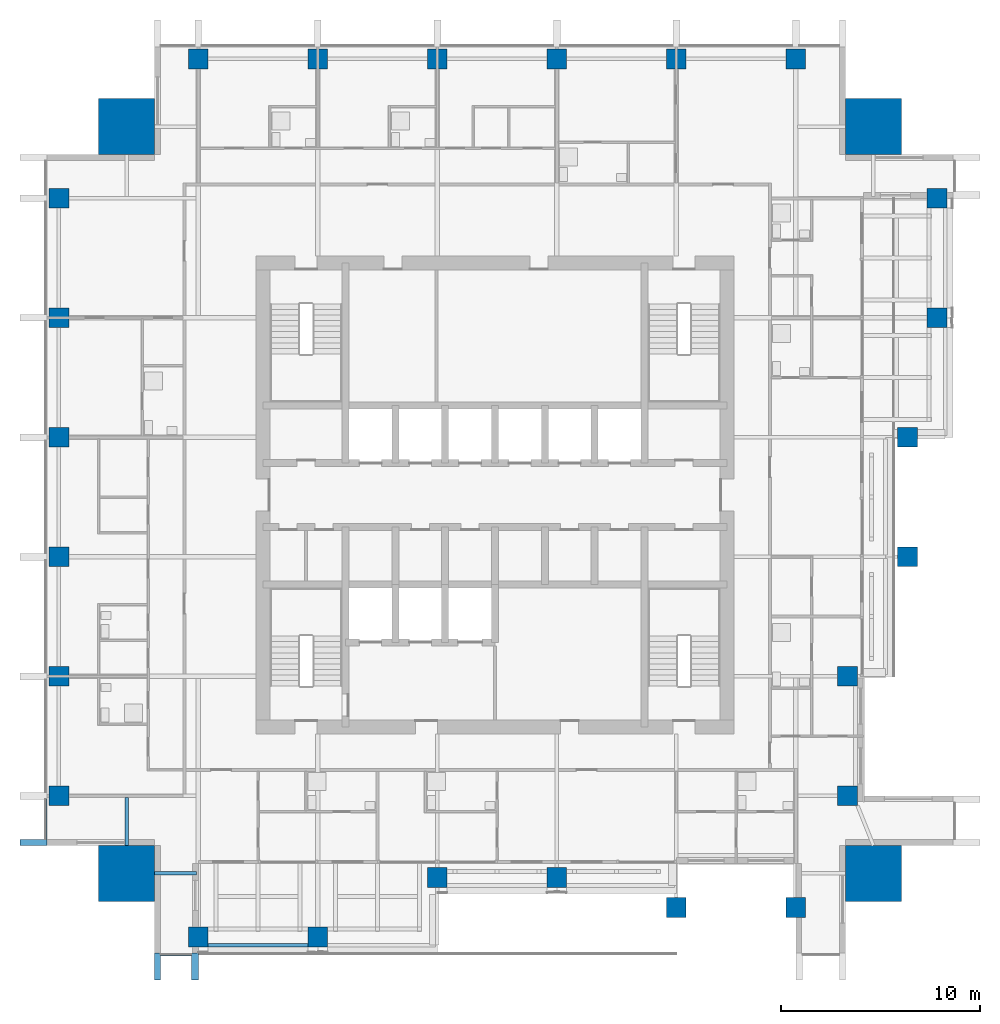
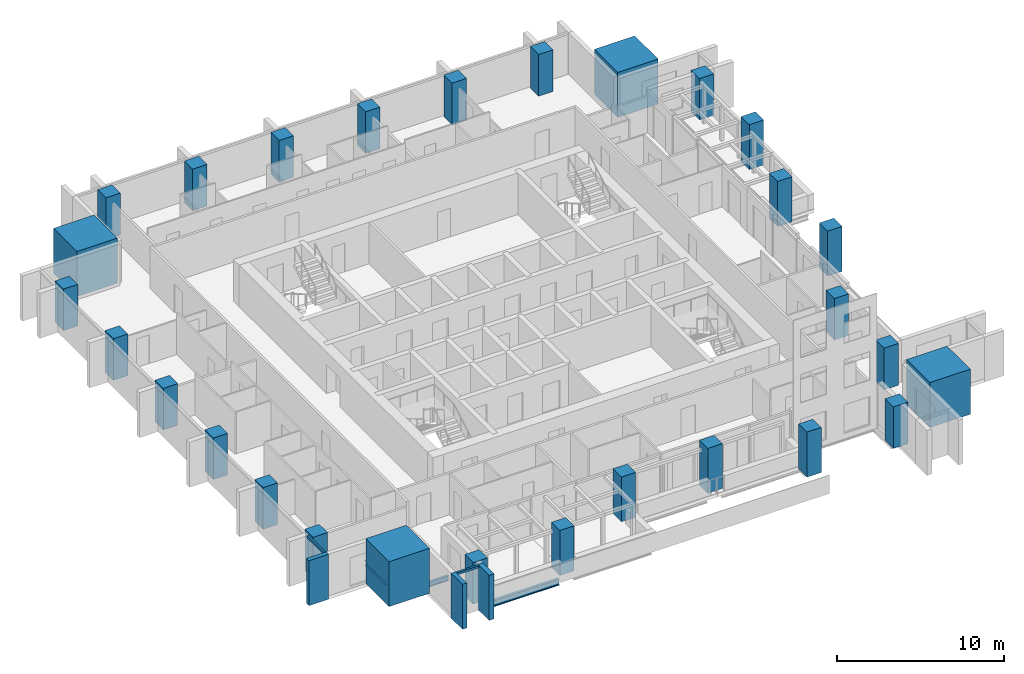
# One storey, part 1 of 16: 28 columns, 5 members, 3 beams, 2 elements without a shape of their own.
"""IFC4 building model written with IfcOpenShell, lengths in metres."""

import ifcopenshell
import ifcopenshell.guid

model = None  # the IFC model being written
_history = None  # IfcOwnerHistory: only IFC2X3 demands one
_inside = {}  # id of a spatial element -> (the spatial element, [elements in it])
_under = {}  # id of a project, library or spatial element -> (it, [spatial elements below it])
_declared = {}  # id of a project -> (the project, [libraries it declares])
_typed = {}  # id of a type object -> (the type object, [elements of that type])
_made_of = {}  # id of a material, layer set ... -> (it, [elements and type objects made of it])


def new_model(schema):
    """Start an empty IFC model of exactly this schema.

    Asked for "IFC4X3", IfcOpenShell would pick the latest addendum, in which some entities
    have other attributes; the version numbers below select the first issue.
    IFC2X3 requires an IfcOwnerHistory on every rooted entity: one is made here for all.
    """
    global model, _history
    if schema == "IFC4X3":
        model = ifcopenshell.file(schema_version=(4, 3, 0, 0))
    else:
        model = ifcopenshell.file(schema=schema)
    _inside.clear()
    _under.clear()
    _declared.clear()
    _typed.clear()
    _made_of.clear()
    _history = None
    if model.schema == "IFC2X3":
        org = make("IfcOrganization", Name="unknown")
        user = make(
            "IfcPersonAndOrganization",
            ThePerson=make("IfcPerson", FamilyName="unknown"),
            TheOrganization=org,
        )
        app = make(
            "IfcApplication",
            ApplicationDeveloper=org,
            Version="unknown",
            ApplicationFullName="unknown",
            ApplicationIdentifier="unknown",
        )
        _history = make(
            "IfcOwnerHistory",
            OwningUser=user,
            OwningApplication=app,
            ChangeAction="ADDED",
            CreationDate=0,
        )
    return model


def make(cls, **values):
    """One entity of the class cls with the attributes given. An attribute that is None is left unset."""
    return model.create_entity(
        cls, **{name: value for name, value in values.items() if value is not None}
    )


def rooted(cls, **values):
    """An entity with a GlobalId (a new one), such as an element, a storey or a relation."""
    return make(cls, GlobalId=ifcopenshell.guid.new(), OwnerHistory=_history, **values)


def si_unit(unit_type, name, prefix=None):
    """IfcSIUnit, for example si_unit("LENGTHUNIT", "METRE", prefix="MILLI")."""
    return make("IfcSIUnit", UnitType=unit_type, Prefix=prefix, Name=name)


def assignment(units):
    """IfcUnitAssignment: the units of a project."""
    return None if units is None else make("IfcUnitAssignment", Units=units)


def point(xyz):
    """IfcCartesianPoint."""
    return None if xyz is None else make("IfcCartesianPoint", Coordinates=xyz)


def direction(xyz):
    """IfcDirection."""
    return None if xyz is None else make("IfcDirection", DirectionRatios=xyz)


def frame(location, z_axis=None, x_axis=None):
    """IfcAxis2Placement3D, a coordinate frame: its origin and axes. An axis left out is left unset."""
    return make(
        "IfcAxis2Placement3D",
        Location=point(location),
        Axis=direction(z_axis),
        RefDirection=direction(x_axis),
    )


def frame_2d(location, x_axis=None):
    """IfcAxis2Placement2D, a coordinate frame in the plane: its origin and x axis."""
    return make(
        "IfcAxis2Placement2D", Location=point(location), RefDirection=direction(x_axis)
    )


def origin():
    """The frame at (0, 0, 0) with its axes left unset."""
    return frame((0.0, 0.0, 0.0))


def origin_2d():
    """The frame at (0, 0) in the plane with its x axis left unset."""
    return frame_2d((0.0, 0.0))


def place(relative_to, where):
    """IfcLocalPlacement: puts the frame where relative to a parent placement (None: the world)."""
    return make(
        "IfcLocalPlacement", PlacementRelTo=relative_to, RelativePlacement=where
    )


def context(
    kind, dimensions, precision=None, world=None, true_north=None, identifier=None
):
    """IfcGeometricRepresentationContext, for example the 3D "Model" context."""
    return make(
        "IfcGeometricRepresentationContext",
        ContextIdentifier=identifier,
        ContextType=kind,
        CoordinateSpaceDimension=dimensions,
        Precision=precision,
        WorldCoordinateSystem=world,
        TrueNorth=true_north,
    )


def subcontext(parent, identifier, kind, view, scale=None):
    """IfcGeometricRepresentationSubContext, for example "Body" below "Model"."""
    return make(
        "IfcGeometricRepresentationSubContext",
        ContextIdentifier=identifier,
        ContextType=kind,
        ParentContext=parent,
        TargetScale=scale,
        TargetView=view,
    )


def project(units=None, contexts=None):
    """IfcProject with its units and contexts."""
    return rooted(
        "IfcProject",
        Name="project",
        RepresentationContexts=contexts,
        UnitsInContext=assignment(units),
    )


def spatial(cls, under=None, at=None, **own):
    """A site, building, storey or space (cls), placed at a placement, below another one or the project."""
    s = rooted(cls, ObjectPlacement=at, **own)
    if under is not None:
        _under.setdefault(under.id(), (under, []))[1].append(s)
    return s


def profile(cls, at=None, kind="AREA", **sizes):
    """A parametric profile (cls). Its sizes go by their IFC names, for example OverallWidth=200.0."""
    return make(cls, ProfileType=kind, Position=at, **sizes)


def rectangle(**sizes):
    """IfcRectangleProfileDef."""
    return profile("IfcRectangleProfileDef", **sizes)


def i_section(**sizes):
    """IfcIShapeProfileDef."""
    return profile("IfcIShapeProfileDef", **sizes)


def extrude(swept, where, along, depth):
    """IfcExtrudedAreaSolid: the profile swept, set in the frame where, extruded along a direction by depth."""
    return make(
        "IfcExtrudedAreaSolid",
        SweptArea=swept,
        Position=where,
        ExtrudedDirection=direction(along),
        Depth=depth,
    )


def shape(context_of_items, identifier, shape_type, items):
    """IfcShapeRepresentation: the items that make up one representation, for example the "Body"."""
    return make(
        "IfcShapeRepresentation",
        ContextOfItems=context_of_items,
        RepresentationIdentifier=identifier,
        RepresentationType=shape_type,
        Items=items,
    )


def material(Name=None, Category=None):
    """IfcMaterial."""
    return make("IfcMaterial", Name=Name, Category=Category)


def material_profile(
    of_material, cross_section, Name=None, Category=None, Priority=None
):
    """IfcMaterialProfile: a cross section and its material."""
    return make(
        "IfcMaterialProfile",
        Name=Name,
        Material=of_material,
        Profile=cross_section,
        Priority=Priority,
        Category=Category,
    )


def profile_set(profiles, Name=None, composite=None):
    """IfcMaterialProfileSet."""
    return make(
        "IfcMaterialProfileSet",
        Name=Name,
        MaterialProfiles=profiles,
        CompositeProfile=composite,
    )


def made_of(thing, what):
    """Note that an element or type object is made of a material, layer set ...; save() writes the relation."""
    if what is not None:
        _made_of.setdefault(what.id(), (what, []))[1].append(thing)
    return thing


def type_object(cls, material=None, **own):
    """A type object (cls), such as IfcWallType, which elements share."""
    return made_of(rooted(cls, **own), material)


def element(
    cls,
    number,
    at=None,
    inside=None,
    cuts=None,
    type_object=None,
    material=None,
    context=None,
    identifier="Body",
    shape_type=None,
    held_by="IfcProductDefinitionShape",
    body=None,
    shapes=None,
    **own,
):
    """One element of the class cls, such as IfcWall. Its Tag is "e" and its number.

    at: its placement. inside: the storey or other place that contains it. cuts: it is an
    opening in that element (IfcRelVoidsElement). A single representation is given by context,
    identifier, shape_type and body (its items); several are given by shapes. held_by: the class
    of the entity that holds the representations. save() writes the other relations.
    """
    e = rooted(cls, Tag="e%d" % number, ObjectPlacement=at, **own)
    if body is not None:
        shapes = [shape(context, identifier, shape_type, body)]
    if shapes is not None:
        e.Representation = make(held_by, Representations=shapes)
    if inside is not None:
        _inside.setdefault(inside.id(), (inside, []))[1].append(e)
    if cuts is not None:
        rooted(
            "IfcRelVoidsElement", RelatingBuildingElement=cuts, RelatedOpeningElement=e
        )
    if type_object is not None:
        _typed.setdefault(type_object.id(), (type_object, []))[1].append(e)
    return made_of(e, material)


def aggregate(whole, parts):
    """IfcRelAggregates: a whole, such as a stair, and the parts it consists of."""
    return rooted("IfcRelAggregates", RelatingObject=whole, RelatedObjects=parts)


def save(model, path):
    """Write the relations noted so far, then the file.

    IfcRelAggregates (storeys below a building ...), IfcRelContainedInSpatialStructure (elements
    in a storey), IfcRelDefinesByType, IfcRelAssociatesMaterial and IfcRelDeclares: one each for
    every whole, place, type object, material and project.
    """
    for whole, parts in _under.values():
        aggregate(whole, parts)
    for where, things in _inside.values():
        rooted(
            "IfcRelContainedInSpatialStructure",
            RelatedElements=things,
            RelatingStructure=where,
        )
    for kind, things in _typed.values():
        rooted("IfcRelDefinesByType", RelatedObjects=things, RelatingType=kind)
    for what, things in _made_of.values():
        rooted("IfcRelAssociatesMaterial", RelatedObjects=things, RelatingMaterial=what)
    for by, libraries in _declared.values():
        rooted("IfcRelDeclares", RelatingContext=by, RelatedDefinitions=libraries)
    model.write(path)


model = new_model("IFC4")

# Units and contexts
model_context = context("Model", 3, precision=1e-05, world=origin(), true_north=direction((0.0, 1.0)))
body_context = subcontext(model_context, "Body", "Model", "MODEL_VIEW")
ifc_project = project(units=[si_unit("LENGTHUNIT", "METRE"), si_unit("AREAUNIT", "SQUARE_METRE"), si_unit("VOLUMEUNIT", "CUBIC_METRE"), si_unit("PLANEANGLEUNIT", "RADIAN"), si_unit("MASSUNIT", "GRAM", prefix="KILO")], contexts=[model_context])

# Site, building, storey
site_placement = place(None, origin())
site = spatial("IfcSite", under=ifc_project, at=site_placement, CompositionType="ELEMENT")
building_placement = place(site_placement, origin())
building = spatial("IfcBuilding", under=site, at=building_placement, Name="Amberfall Residences", CompositionType="ELEMENT")
storey_placement = place(building_placement, frame((0.0, 0.0, 164.800048828125)))
storey = spatial("IfcBuildingStorey", under=building, at=storey_placement, Name="L44", CompositionType="ELEMENT", Elevation=164.800048828125)

# Columns
ifc_material_1 = material(Name="Concrete C60", Category="concrete")
ifc_material_profile_1 = material_profile(ifc_material_1, rectangle(XDim=1.0, YDim=1.0, at=origin_2d()), Name="Column 1000 x 1000 C60")
ifc_profile_set_1 = profile_set([ifc_material_profile_1], Name="Concrete C60")
column_type_1 = type_object("IfcColumnType", Name="Column 1000 x 1000 C60", PredefinedType="COLUMN", material=ifc_profile_set_1)
column_placement = place(storey_placement, frame((59.60009765625, 23.300048828125, 0.0), z_axis=(0.0, 0.0, 1.0), x_axis=(1.0, 0.0, 0.0)))
element("IfcColumn", 1, at=column_placement, inside=storey, type_object=column_type_1, Name="Column C3 L44 S1", PredefinedType="COLUMN", context=body_context, shape_type="SweptSolid", body=[
    extrude(rectangle(XDim=1.0, YDim=1.0, at=origin_2d()), origin(), (0.0, 0.0, 1.0), 3.050048828125),
])
for number, where, z_axis, x_axis, name in (
    (2, (65.60009765625, 23.300048828125, 0.0), (0.0, 0.0, 1.0), (1.0, 0.0, 0.0), "Column C3 L44 S2"),
    (3, (71.60009765625, 26.300048828125, 0.0), (0.0, 0.0, 1.0), (1.0, 0.0, 0.0), "Column C3 L44 S3"),
    (4, (77.60009765625, 26.300048828125, 0.0), (0.0, 0.0, 1.0), (1.0, 0.0, 0.0), "Column C3 L44 S4"),
    (5, (83.60009765625, 24.800048828125, 0.0), (0.0, 0.0, 1.0), (1.0, 0.0, 0.0), "Column C3 L44 S5"),
):
    element("IfcColumn", number, at=place(storey_placement, frame(where, z_axis=z_axis, x_axis=x_axis)), inside=storey, type_object=column_type_1, Name=name, PredefinedType="COLUMN", context=body_context, shape_type="SweptSolid", body=[
        extrude(rectangle(XDim=1.0, YDim=1.0, at=origin_2d()), origin(), (0.0, 0.0, 1.0), 3.300048828125),
    ])
for number, where, z_axis, x_axis, name in (
    (6, (89.60009765625, 24.800048828125, 0.0), (0.0, 0.0, 1.0), (1.0, 0.0, 0.0), "Column C3 L44 S6"),
    (7, (92.199951171875, 30.39990234375, 0.0), (0.0, 0.0, 1.0), (1.0, 0.0, 0.0), "Column C3 L44 E1"),
    (8, (92.199951171875, 36.39990234375, 0.0), (0.0, 0.0, 1.0), (1.0, 0.0, 0.0), "Column C3 L44 E2"),
):
    element("IfcColumn", number, at=place(storey_placement, frame(where, z_axis=z_axis, x_axis=x_axis)), inside=storey, type_object=column_type_1, Name=name, PredefinedType="COLUMN", context=body_context, shape_type="SweptSolid", body=[
        extrude(rectangle(XDim=1.0, YDim=1.0, at=origin_2d()), origin(), (0.0, 0.0, 1.0), 3.050048828125),
    ])
for number, where, z_axis, x_axis, name in (
    (9, (95.199951171875, 42.39990234375, 0.0), (0.0, 0.0, 1.0), (1.0, 0.0, 0.0), "Column C3 L44 E3"),
    (10, (95.199951171875, 48.39990234375, 0.0), (0.0, 0.0, 1.0), (1.0, 0.0, 0.0), "Column C3 L44 E4"),
    (11, (96.699951171875, 54.39990234375, 0.0), (0.0, 0.0, 1.0), (1.0, 0.0, 0.0), "Column C3 L44 E5"),
):
    element("IfcColumn", number, at=place(storey_placement, frame(where, z_axis=z_axis, x_axis=x_axis)), inside=storey, type_object=column_type_1, Name=name, PredefinedType="COLUMN", context=body_context, shape_type="SweptSolid", body=[
        extrude(rectangle(XDim=1.0, YDim=1.0, at=origin_2d()), origin(), (0.0, 0.0, 1.0), 3.300048828125),
    ])
for number, where, z_axis, x_axis, name in (
    (12, (96.699951171875, 60.39990234375, 0.0), (0.0, 0.0, 1.0), (1.0, 0.0, 0.0), "Column C3 L44 E6"),
    (13, (59.60009765625, 67.39990234375, 0.0), (0.0, 0.0, 1.0), (1.0, 0.0, 0.0), "Column C3 L44 N1"),
    (14, (65.60009765625, 67.39990234375, 0.0), (0.0, 0.0, 1.0), (1.0, 0.0, 0.0), "Column C3 L44 N2"),
    (15, (71.60009765625, 67.39990234375, 0.0), (0.0, 0.0, 1.0), (1.0, 0.0, 0.0), "Column C3 L44 N3"),
    (16, (77.60009765625, 67.39990234375, 0.0), (0.0, 0.0, 1.0), (1.0, 0.0, 0.0), "Column C3 L44 N4"),
    (17, (83.60009765625, 67.39990234375, 0.0), (0.0, 0.0, 1.0), (1.0, 0.0, 0.0), "Column C3 L44 N5"),
    (18, (89.60009765625, 67.39990234375, 0.0), (0.0, 0.0, 1.0), (1.0, 0.0, 0.0), "Column C3 L44 N6"),
    (19, (52.60009765625, 30.39990234375, 0.0), (0.0, 0.0, 1.0), (1.0, 0.0, 0.0), "Column C3 L44 W1"),
    (20, (52.60009765625, 36.39990234375, 0.0), (0.0, 0.0, 1.0), (1.0, 0.0, 0.0), "Column C3 L44 W2"),
    (21, (52.60009765625, 42.39990234375, 0.0), (0.0, 0.0, 1.0), (1.0, 0.0, 0.0), "Column C3 L44 W3"),
    (22, (52.60009765625, 48.39990234375, 0.0), (0.0, 0.0, 1.0), (1.0, 0.0, 0.0), "Column C3 L44 W4"),
    (23, (52.60009765625, 54.39990234375, 0.0), (0.0, 0.0, 1.0), (1.0, 0.0, 0.0), "Column C3 L44 W5"),
    (24, (52.60009765625, 60.39990234375, 0.0), (0.0, 0.0, 1.0), (1.0, 0.0, 0.0), "Column C3 L44 W6"),
):
    element("IfcColumn", number, at=place(storey_placement, frame(where, z_axis=z_axis, x_axis=x_axis)), inside=storey, type_object=column_type_1, Name=name, PredefinedType="COLUMN", context=body_context, shape_type="SweptSolid", body=[
        extrude(rectangle(XDim=1.0, YDim=1.0, at=origin_2d()), origin(), (0.0, 0.0, 1.0), 3.050048828125),
    ])
ifc_material_profile_2 = material_profile(ifc_material_1, rectangle(XDim=2.800048828125, YDim=2.800048828125, at=origin_2d()), Name="Mega column 2800 x 2800 C60")
ifc_profile_set_2 = profile_set([ifc_material_profile_2], Name="Concrete C60")
column_type_2 = type_object("IfcColumnType", Name="Mega column 2800 x 2800 C60", PredefinedType="COLUMN", material=ifc_profile_set_2)
for number, where, z_axis, x_axis, name in (
    (25, (56.0, 26.5, 0.0), (0.0, 0.0, 1.0), (1.0, 0.0, 0.0), "Mega column MC5 L44 SW"),
    (26, (93.5, 26.5, 0.0), (0.0, 0.0, 1.0), (1.0, 0.0, 0.0), "Mega column MC5 L44 SE"),
    (27, (93.5, 64.0, 0.0), (0.0, 0.0, 1.0), (1.0, 0.0, 0.0), "Mega column MC5 L44 NE"),
    (28, (56.0, 64.0, 0.0), (0.0, 0.0, 1.0), (1.0, 0.0, 0.0), "Mega column MC5 L44 NW"),
):
    element("IfcColumn", number, at=place(storey_placement, frame(where, z_axis=z_axis, x_axis=x_axis)), inside=storey, type_object=column_type_2, Name=name, PredefinedType="COLUMN", context=body_context, shape_type="SweptSolid", body=[
        extrude(rectangle(XDim=2.800048828125, YDim=2.800048828125, at=origin_2d()), origin(), (0.0, 0.0, 1.0), 3.300048828125),
    ])

# Curtain wall, member
ifc_material_2 = material(Name="Bronze anodised aluminium and glass", Category="aluminium")
curtain_wall_type = type_object("IfcCurtainWallType", Name="Curtain wall CW1 tower unit", PredefinedType="USERDEFINED", material=ifc_material_2)
curtain_wall_1_placement = place(storey_placement, origin())
curtain_wall_1 = element("IfcCurtainWall", 29, at=curtain_wall_1_placement, inside=storey, type_object=curtain_wall_type, Name="Curtain wall L44 S S1", ObjectType="UNITISED CURTAIN WALL", PredefinedType="USERDEFINED")
ifc_material_3 = material(Name="Bronze anodised aluminium", Category="aluminium")
ifc_material_profile_3 = material_profile(ifc_material_3, rectangle(XDim=0.14990234375, YDim=0.14990234375, at=origin_2d()), Name="CW1 transom 150 x 150 bronze")
ifc_profile_set_3 = profile_set([ifc_material_profile_3], Name="Bronze anodised aluminium")
member_type_1 = type_object("IfcMemberType", Name="CW1 transom 150 x 150 bronze", PredefinedType="USERDEFINED", material=ifc_profile_set_3)
member_1_placement = place(storey_placement, frame((57.699951171875, 22.425048828125, 2.974853515625), z_axis=(1.0, 0.0, 0.0), x_axis=(0.0, 1.0, 0.0)))
member_1 = element("IfcMember", 30, at=member_1_placement, type_object=member_type_1, Name="CW1 transom 1.1", ObjectType="TRANSOM", PredefinedType="USERDEFINED", context=body_context, shape_type="SweptSolid", body=[
    extrude(rectangle(XDim=0.14990234375, YDim=0.14990234375, at=origin_2d()), origin(), (0.0, 0.0, 1.0), 1.550048828125),
])

curtain_wall_2_placement = place(storey_placement, origin())
curtain_wall_2 = element("IfcCurtainWall", 31, at=curtain_wall_2_placement, inside=storey, type_object=curtain_wall_type, Name="Curtain wall L44 W W1", ObjectType="UNITISED CURTAIN WALL", PredefinedType="USERDEFINED")
member_2_placement = place(storey_placement, frame((51.925048828125, 30.22509765625, 2.974853515625), z_axis=(0.0, -1.0, 0.0), x_axis=(1.0, 0.0, 0.0)))
member_2 = element("IfcMember", 32, at=member_2_placement, type_object=member_type_1, Name="CW1 transom 7.1", ObjectType="TRANSOM", PredefinedType="USERDEFINED", context=body_context, shape_type="SweptSolid", body=[
    extrude(rectangle(XDim=0.14990234375, YDim=0.14990234375, at=origin_2d()), origin(), (0.0, 0.0, 1.0), 2.025146484375),
])

# Member
ifc_material_profile_4 = material_profile(ifc_material_3, rectangle(XDim=1.35009765625, YDim=0.300048828125, at=origin_2d()), Name="Corner fin 300 x 1350 bronze")
ifc_profile_set_4 = profile_set([ifc_material_profile_4], Name="Bronze anodised aluminium")
member_type_2 = type_object("IfcMemberType", Name="Corner fin 300 x 1350 bronze", PredefinedType="MULLION", material=ifc_profile_set_4)
member_3_placement = place(storey_placement, frame((57.550048828125, 21.824951171875, -0.25), z_axis=(0.0, 0.0, 1.0), x_axis=(0.0, 1.0, 0.0)))
member_3 = element("IfcMember", 33, at=member_3_placement, type_object=member_type_2, Name="CW FIN 1", PredefinedType="MULLION", context=body_context, shape_type="SweptSolid", body=[
    extrude(rectangle(XDim=1.35009765625, YDim=0.300048828125, at=origin_2d()), origin(), (0.0, 0.0, 1.0), 3.300048828125),
])

member_4_placement = place(storey_placement, frame((51.324951171875, 28.050048828125, -0.25), z_axis=(0.0, 0.0, 1.0), x_axis=(1.0, 0.0, 0.0)))
member_4 = element("IfcMember", 34, at=member_4_placement, type_object=member_type_2, Name="CW FIN 8", PredefinedType="MULLION", context=body_context, shape_type="SweptSolid", body=[
    extrude(rectangle(XDim=1.35009765625, YDim=0.300048828125, at=origin_2d()), origin(), (0.0, 0.0, 1.0), 3.300048828125),
])

aggregate(curtain_wall_2, [member_4, member_2])

# Beam
ifc_material_4 = material(Name="Steel S355", Category="steel")
ifc_material_profile_5 = material_profile(ifc_material_4, i_section(OverallWidth=0.18994140625, OverallDepth=0.453369140625, WebThickness=0.008544921875, FlangeThickness=0.0126953125, FilletRadius=0.01025390625, at=origin_2d()), Name="UB 457x191x67")
ifc_profile_set_5 = profile_set([ifc_material_profile_5], Name="Steel S355")
beam_type_1 = type_object("IfcBeamType", Name="Edge beam UB 457x191x67", PredefinedType="SPANDREL", material=ifc_profile_set_5)
beam_1_placement = place(storey_placement, frame((60.10009765625, 22.89990234375, -0.476806640625), z_axis=(1.0, 0.0, 0.0), x_axis=(0.0, 1.0, 0.0)))
element("IfcBeam", 35, at=beam_1_placement, inside=storey, type_object=beam_type_1, Name="Edge beam B1 L44 01", PredefinedType="SPANDREL", context=body_context, shape_type="SweptSolid", body=[
    extrude(i_section(OverallWidth=0.18994140625, OverallDepth=0.453369140625, WebThickness=0.008544921875, FlangeThickness=0.0126953125, FilletRadius=0.01025390625, at=origin_2d()), origin(), (0.0, 0.0, 1.0), 5.0),
])

# Member
ifc_material_profile_6 = material_profile(ifc_material_3, rectangle(XDim=1.35009765625, YDim=0.35009765625, at=origin_2d()), Name="Fin 350 x 1350 bronze")
ifc_profile_set_6 = profile_set([ifc_material_profile_6], Name="Bronze anodised aluminium")
member_type_3 = type_object("IfcMemberType", Name="Fin 350 x 1350 bronze", PredefinedType="MULLION", material=ifc_profile_set_6)
member_5_placement = place(storey_placement, frame((59.425048828125, 21.824951171875, -0.25), z_axis=(0.0, 0.0, 1.0), x_axis=(0.0, 1.0, 0.0)))
member_5 = element("IfcMember", 36, at=member_5_placement, type_object=member_type_3, Name="CW FIN 2", PredefinedType="MULLION", context=body_context, shape_type="SweptSolid", body=[
    extrude(rectangle(XDim=1.35009765625, YDim=0.35009765625, at=origin_2d()), origin(), (0.0, 0.0, 1.0), 3.300048828125),
])

aggregate(curtain_wall_1, [member_3, member_5, member_1])

# Beams
ifc_material_profile_7 = material_profile(ifc_material_4, i_section(OverallWidth=0.171142578125, OverallDepth=0.351318359375, WebThickness=0.007080078125, FlangeThickness=0.009765625, FilletRadius=0.01025390625, at=origin_2d()), Name="UB 356x171x45")
ifc_profile_set_7 = profile_set([ifc_material_profile_7], Name="Steel S355")
beam_type_2 = type_object("IfcBeamType", Name="Link beam UB 356x171x45", PredefinedType="BEAM", material=ifc_profile_set_7)
beam_2_placement = place(storey_placement, frame((57.39990234375, 26.5, -0.42578125), z_axis=(1.0, 0.0, 0.0), x_axis=(0.0, 1.0, 0.0)))
element("IfcBeam", 37, at=beam_2_placement, inside=storey, type_object=beam_type_2, Name="Link beam B7 L44 48", PredefinedType="BEAM", context=body_context, shape_type="SweptSolid", body=[
    extrude(i_section(OverallWidth=0.171142578125, OverallDepth=0.351318359375, WebThickness=0.007080078125, FlangeThickness=0.009765625, FilletRadius=0.01025390625, at=origin_2d()), origin(), (0.0, 0.0, 1.0), 2.104736328125),
])
beam_3_placement = place(storey_placement, frame((56.0, 27.89990234375, -0.42578125), z_axis=(0.0, 1.0, 0.0), x_axis=(-1.0, 0.0, 0.0)))
element("IfcBeam", 38, at=beam_3_placement, inside=storey, type_object=beam_type_2, Name="Link beam B7 L44 49", PredefinedType="BEAM", context=body_context, shape_type="SweptSolid", body=[
    extrude(i_section(OverallWidth=0.171142578125, OverallDepth=0.351318359375, WebThickness=0.007080078125, FlangeThickness=0.009765625, FilletRadius=0.01025390625, at=origin_2d()), origin(), (0.0, 0.0, 1.0), 2.42138671875),
])

save(model, "model.ifc")
